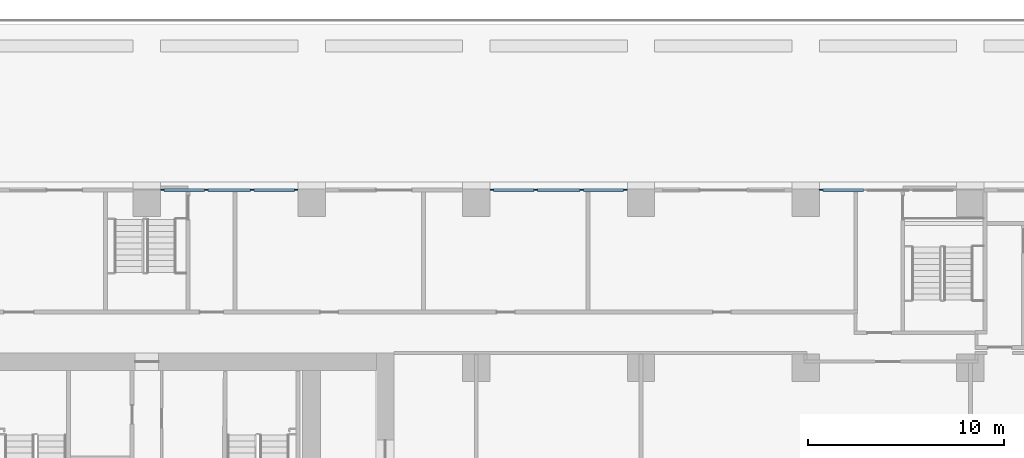
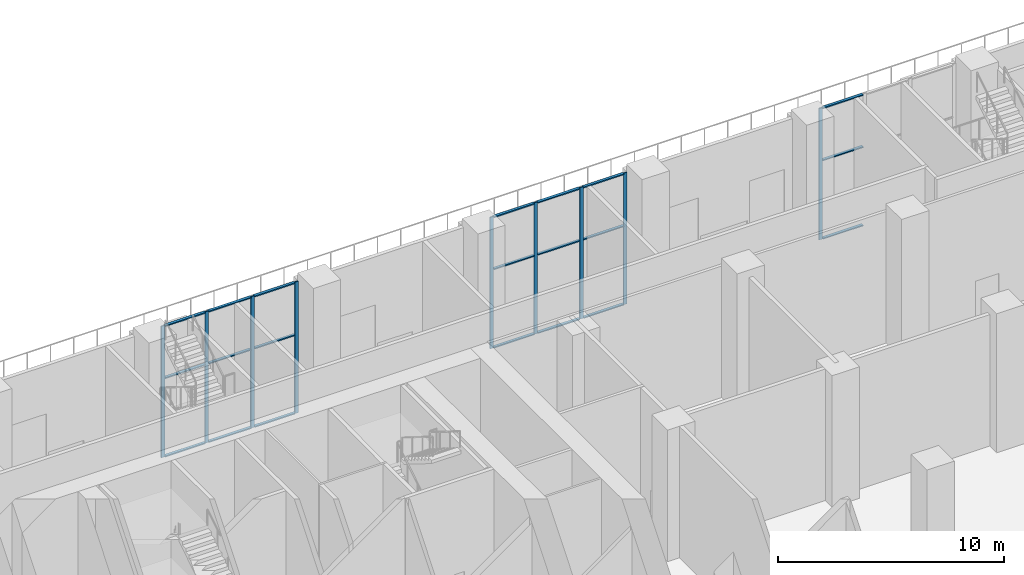
# One storey, part 12 of 53: 30 members, 3 elements without a shape of their own.
"""IFC4 building model written with IfcOpenShell, lengths in metres."""

from ifc_helpers import new_model, si_unit, direction, frame, origin, origin_2d, place, context, subcontext, project, spatial, rectangle, extrude, material, material_profile, profile_set, type_object, element, aggregate, save


model = new_model("IFC4")

# Units and contexts
model_context = context("Model", 3, precision=1e-05, world=origin(), true_north=direction((0.0, 1.0)))
body_context = subcontext(model_context, "Body", "Model", "MODEL_VIEW")
ifc_project = project(units=[si_unit("LENGTHUNIT", "METRE"), si_unit("AREAUNIT", "SQUARE_METRE"), si_unit("VOLUMEUNIT", "CUBIC_METRE"), si_unit("PLANEANGLEUNIT", "RADIAN"), si_unit("MASSUNIT", "GRAM", prefix="KILO")], contexts=[model_context])

# Site, building, storey
site_placement = place(None, origin())
site = spatial("IfcSite", under=ifc_project, at=site_placement, CompositionType="ELEMENT")
building_placement = place(site_placement, origin())
building = spatial("IfcBuilding", under=site, at=building_placement, Name="Vermilion Ogive Tower", CompositionType="ELEMENT")
storey_placement = place(building_placement, origin())
storey = spatial("IfcBuildingStorey", under=building, at=storey_placement, Name="L00", CompositionType="ELEMENT", Elevation=0.0)

# Curtain wall, member
ifc_material_1 = material(Name="Clear double glazing in aluminium frame", Category="aluminium")
curtain_wall_type = type_object("IfcCurtainWallType", Name="Curtain wall CW1", PredefinedType="NOTDEFINED", material=ifc_material_1)
curtain_wall_1_placement = place(storey_placement, origin())
curtain_wall_1 = element("IfcCurtainWall", 1, at=curtain_wall_1_placement, inside=storey, type_object=curtain_wall_type, Name="CW1 shopfront glazing N2", PredefinedType="NOTDEFINED")
ifc_material_2 = material(Name="Aluminium mullion", Category="aluminium")
ifc_material_profile_1 = material_profile(ifc_material_2, rectangle(XDim=0.06005859375, YDim=0.179931640625, at=origin_2d()), Name="AL 60x180")
ifc_profile_set_1 = profile_set([ifc_material_profile_1], Name="Aluminium mullion")
member_type_1 = type_object("IfcMemberType", Name="CW1 mullion 60x180", PredefinedType="MULLION", material=ifc_profile_set_1)
member_1_placement = place(storey_placement, frame((34.389892578125, 30.06005859375, 0.0), z_axis=(0.0, 0.0, 1.0), x_axis=(0.0, -1.0, 0.0)))
member_1 = element("IfcMember", 2, at=member_1_placement, type_object=member_type_1, Name="CW1-N2 mullion 4", PredefinedType="MULLION", context=body_context, shape_type="SweptSolid", body=[
    extrude(rectangle(XDim=0.06005859375, YDim=0.179931640625, at=origin_2d()), origin(), (0.0, 0.0, 1.0), 7.10009765625),
])

# Curtain wall, members
curtain_wall_2_placement = place(storey_placement, origin())
curtain_wall_2 = element("IfcCurtainWall", 3, at=curtain_wall_2_placement, inside=storey, type_object=curtain_wall_type, Name="CW1 shopfront glazing N4", PredefinedType="NOTDEFINED")
member_2_placement = place(storey_placement, frame((24.409912109375, 30.06005859375, 0.0), z_axis=(0.0, 0.0, 1.0), x_axis=(0.0, -1.0, 0.0)))
member_2 = element("IfcMember", 4, at=member_2_placement, type_object=member_type_1, Name="CW1-N4 mullion 1", PredefinedType="MULLION", context=body_context, shape_type="SweptSolid", body=[
    extrude(rectangle(XDim=0.06005859375, YDim=0.179931640625, at=origin_2d()), origin(), (0.0, 0.0, 1.0), 7.10009765625),
])
member_3_placement = place(storey_placement, frame((22.166748046875, 30.06005859375, 0.0), z_axis=(0.0, 0.0, 1.0), x_axis=(0.0, -1.0, 0.0)))
member_3 = element("IfcMember", 5, at=member_3_placement, type_object=member_type_1, Name="CW1-N4 mullion 2", PredefinedType="MULLION", context=body_context, shape_type="SweptSolid", body=[
    extrude(rectangle(XDim=0.06005859375, YDim=0.179931640625, at=origin_2d()), origin(), (0.0, 0.0, 1.0), 7.10009765625),
])
member_4_placement = place(storey_placement, frame((19.833251953125, 30.06005859375, 0.0), z_axis=(0.0, 0.0, 1.0), x_axis=(0.0, -1.0, 0.0)))
member_4 = element("IfcMember", 6, at=member_4_placement, type_object=member_type_1, Name="CW1-N4 mullion 3", PredefinedType="MULLION", context=body_context, shape_type="SweptSolid", body=[
    extrude(rectangle(XDim=0.06005859375, YDim=0.179931640625, at=origin_2d()), origin(), (0.0, 0.0, 1.0), 7.10009765625),
])
member_5_placement = place(storey_placement, frame((17.590087890625, 30.06005859375, 0.0), z_axis=(0.0, 0.0, 1.0), x_axis=(0.0, -1.0, 0.0)))
member_5 = element("IfcMember", 7, at=member_5_placement, type_object=member_type_1, Name="CW1-N4 mullion 4", PredefinedType="MULLION", context=body_context, shape_type="SweptSolid", body=[
    extrude(rectangle(XDim=0.06005859375, YDim=0.179931640625, at=origin_2d()), origin(), (0.0, 0.0, 1.0), 7.10009765625),
])

curtain_wall_3_placement = place(storey_placement, origin())
curtain_wall_3 = element("IfcCurtainWall", 8, at=curtain_wall_3_placement, inside=storey, type_object=curtain_wall_type, Name="CW1 shopfront glazing N6", PredefinedType="NOTDEFINED")
member_6_placement = place(storey_placement, frame((7.610107421875, 30.06005859375, 0.0), z_axis=(0.0, 0.0, 1.0), x_axis=(0.0, -1.0, 0.0)))
member_6 = element("IfcMember", 9, at=member_6_placement, type_object=member_type_1, Name="CW1-N6 mullion 1", PredefinedType="MULLION", context=body_context, shape_type="SweptSolid", body=[
    extrude(rectangle(XDim=0.06005859375, YDim=0.179931640625, at=origin_2d()), origin(), (0.0, 0.0, 1.0), 7.10009765625),
])
member_7_placement = place(storey_placement, frame((5.36669921875, 30.06005859375, 0.0), z_axis=(0.0, 0.0, 1.0), x_axis=(0.0, -1.0, 0.0)))
member_7 = element("IfcMember", 10, at=member_7_placement, type_object=member_type_1, Name="CW1-N6 mullion 2", PredefinedType="MULLION", context=body_context, shape_type="SweptSolid", body=[
    extrude(rectangle(XDim=0.06005859375, YDim=0.179931640625, at=origin_2d()), origin(), (0.0, 0.0, 1.0), 7.10009765625),
])
member_8_placement = place(storey_placement, frame((3.033447265625, 30.06005859375, 0.0), z_axis=(0.0, 0.0, 1.0), x_axis=(0.0, -1.0, 0.0)))
member_8 = element("IfcMember", 11, at=member_8_placement, type_object=member_type_1, Name="CW1-N6 mullion 3", PredefinedType="MULLION", context=body_context, shape_type="SweptSolid", body=[
    extrude(rectangle(XDim=0.06005859375, YDim=0.179931640625, at=origin_2d()), origin(), (0.0, 0.0, 1.0), 7.10009765625),
])
member_9_placement = place(storey_placement, frame((0.7900390625, 30.06005859375, 0.0), z_axis=(0.0, 0.0, 1.0), x_axis=(0.0, -1.0, 0.0)))
member_9 = element("IfcMember", 12, at=member_9_placement, type_object=member_type_1, Name="CW1-N6 mullion 4", PredefinedType="MULLION", context=body_context, shape_type="SweptSolid", body=[
    extrude(rectangle(XDim=0.06005859375, YDim=0.179931640625, at=origin_2d()), origin(), (0.0, 0.0, 1.0), 7.10009765625),
])

# Member
ifc_material_3 = material(Name="Aluminium transom", Category="aluminium")
ifc_material_profile_2 = material_profile(ifc_material_3, rectangle(XDim=0.139892578125, YDim=0.06005859375, at=origin_2d()), Name="AL 60x140")
ifc_profile_set_2 = profile_set([ifc_material_profile_2], Name="Aluminium transom")
member_type_2 = type_object("IfcMemberType", Name="CW1 transom 60x140", PredefinedType="USERDEFINED", material=ifc_profile_set_2)
member_10_placement = place(storey_placement, frame((36.543212890625, 30.06005859375, 0.030029296875), z_axis=(-1.0, 0.0, 0.0), x_axis=(0.0, -1.0, 0.0)))
member_10 = element("IfcMember", 13, at=member_10_placement, type_object=member_type_2, Name="CW1-N2 transom 3.1", ObjectType="TRANSOM", PredefinedType="USERDEFINED", context=body_context, shape_type="SweptSolid", body=[
    extrude(rectangle(XDim=0.139892578125, YDim=0.06005859375, at=origin_2d()), origin(), (0.0, 0.0, 1.0), 2.063232421875),
])

member_11_placement = place(storey_placement, frame((36.543212890625, 30.06005859375, 4.260009765625), z_axis=(-1.0, 0.0, 0.0), x_axis=(0.0, -1.0, 0.0)))
member_11 = element("IfcMember", 14, at=member_11_placement, type_object=member_type_2, Name="CW1-N2 transom 3.2", ObjectType="TRANSOM", PredefinedType="USERDEFINED", context=body_context, shape_type="SweptSolid", body=[
    extrude(rectangle(XDim=0.139892578125, YDim=0.06005859375, at=origin_2d()), origin(), (0.0, 0.0, 1.0), 2.063232421875),
])

member_12_placement = place(storey_placement, frame((36.543212890625, 30.06005859375, 7.070068359375), z_axis=(-1.0, 0.0, 0.0), x_axis=(0.0, -1.0, 0.0)))
member_12 = element("IfcMember", 15, at=member_12_placement, type_object=member_type_2, Name="CW1-N2 transom 3.3", ObjectType="TRANSOM", PredefinedType="USERDEFINED", context=body_context, shape_type="SweptSolid", body=[
    extrude(rectangle(XDim=0.139892578125, YDim=0.06005859375, at=origin_2d()), origin(), (0.0, 0.0, 1.0), 2.063232421875),
])

aggregate(curtain_wall_1, [member_1, member_10, member_11, member_12])

member_13_placement = place(storey_placement, frame((24.320068359375, 30.06005859375, 0.030029296875), z_axis=(-1.0, 0.0, 0.0), x_axis=(0.0, -1.0, 0.0)))
member_13 = element("IfcMember", 16, at=member_13_placement, type_object=member_type_2, Name="CW1-N4 transom 1.1", ObjectType="TRANSOM", PredefinedType="USERDEFINED", context=body_context, shape_type="SweptSolid", body=[
    extrude(rectangle(XDim=0.139892578125, YDim=0.06005859375, at=origin_2d()), origin(), (0.0, 0.0, 1.0), 2.0634765625),
])

member_14_placement = place(storey_placement, frame((24.320068359375, 30.06005859375, 4.260009765625), z_axis=(-1.0, 0.0, 0.0), x_axis=(0.0, -1.0, 0.0)))
member_14 = element("IfcMember", 17, at=member_14_placement, type_object=member_type_2, Name="CW1-N4 transom 1.2", ObjectType="TRANSOM", PredefinedType="USERDEFINED", context=body_context, shape_type="SweptSolid", body=[
    extrude(rectangle(XDim=0.139892578125, YDim=0.06005859375, at=origin_2d()), origin(), (0.0, 0.0, 1.0), 2.0634765625),
])

member_15_placement = place(storey_placement, frame((24.320068359375, 30.06005859375, 7.070068359375), z_axis=(-1.0, 0.0, 0.0), x_axis=(0.0, -1.0, 0.0)))
member_15 = element("IfcMember", 18, at=member_15_placement, type_object=member_type_2, Name="CW1-N4 transom 1.3", ObjectType="TRANSOM", PredefinedType="USERDEFINED", context=body_context, shape_type="SweptSolid", body=[
    extrude(rectangle(XDim=0.139892578125, YDim=0.06005859375, at=origin_2d()), origin(), (0.0, 0.0, 1.0), 2.0634765625),
])

member_16_placement = place(storey_placement, frame((22.07666015625, 30.06005859375, 0.030029296875), z_axis=(-1.0, 0.0, 0.0), x_axis=(0.0, -1.0, 0.0)))
member_16 = element("IfcMember", 19, at=member_16_placement, type_object=member_type_2, Name="CW1-N4 transom 2.1", ObjectType="TRANSOM", PredefinedType="USERDEFINED", context=body_context, shape_type="SweptSolid", body=[
    extrude(rectangle(XDim=0.139892578125, YDim=0.06005859375, at=origin_2d()), origin(), (0.0, 0.0, 1.0), 2.1533203125),
])

member_17_placement = place(storey_placement, frame((22.07666015625, 30.06005859375, 4.260009765625), z_axis=(-1.0, 0.0, 0.0), x_axis=(0.0, -1.0, 0.0)))
member_17 = element("IfcMember", 20, at=member_17_placement, type_object=member_type_2, Name="CW1-N4 transom 2.2", ObjectType="TRANSOM", PredefinedType="USERDEFINED", context=body_context, shape_type="SweptSolid", body=[
    extrude(rectangle(XDim=0.139892578125, YDim=0.06005859375, at=origin_2d()), origin(), (0.0, 0.0, 1.0), 2.1533203125),
])

member_18_placement = place(storey_placement, frame((22.07666015625, 30.06005859375, 7.070068359375), z_axis=(-1.0, 0.0, 0.0), x_axis=(0.0, -1.0, 0.0)))
member_18 = element("IfcMember", 21, at=member_18_placement, type_object=member_type_2, Name="CW1-N4 transom 2.3", ObjectType="TRANSOM", PredefinedType="USERDEFINED", context=body_context, shape_type="SweptSolid", body=[
    extrude(rectangle(XDim=0.139892578125, YDim=0.06005859375, at=origin_2d()), origin(), (0.0, 0.0, 1.0), 2.1533203125),
])

member_19_placement = place(storey_placement, frame((19.743408203125, 30.06005859375, 0.030029296875), z_axis=(-1.0, 0.0, 0.0), x_axis=(0.0, -1.0, 0.0)))
member_19 = element("IfcMember", 22, at=member_19_placement, type_object=member_type_2, Name="CW1-N4 transom 3.1", ObjectType="TRANSOM", PredefinedType="USERDEFINED", context=body_context, shape_type="SweptSolid", body=[
    extrude(rectangle(XDim=0.139892578125, YDim=0.06005859375, at=origin_2d()), origin(), (0.0, 0.0, 1.0), 2.0634765625),
])

member_20_placement = place(storey_placement, frame((19.743408203125, 30.06005859375, 4.260009765625), z_axis=(-1.0, 0.0, 0.0), x_axis=(0.0, -1.0, 0.0)))
member_20 = element("IfcMember", 23, at=member_20_placement, type_object=member_type_2, Name="CW1-N4 transom 3.2", ObjectType="TRANSOM", PredefinedType="USERDEFINED", context=body_context, shape_type="SweptSolid", body=[
    extrude(rectangle(XDim=0.139892578125, YDim=0.06005859375, at=origin_2d()), origin(), (0.0, 0.0, 1.0), 2.0634765625),
])

member_21_placement = place(storey_placement, frame((19.743408203125, 30.06005859375, 7.070068359375), z_axis=(-1.0, 0.0, 0.0), x_axis=(0.0, -1.0, 0.0)))
member_21 = element("IfcMember", 24, at=member_21_placement, type_object=member_type_2, Name="CW1-N4 transom 3.3", ObjectType="TRANSOM", PredefinedType="USERDEFINED", context=body_context, shape_type="SweptSolid", body=[
    extrude(rectangle(XDim=0.139892578125, YDim=0.06005859375, at=origin_2d()), origin(), (0.0, 0.0, 1.0), 2.0634765625),
])

aggregate(curtain_wall_2, [member_2, member_3, member_4, member_5, member_13, member_14, member_15, member_16, member_17, member_18, member_19, member_20, member_21])

member_22_placement = place(storey_placement, frame((7.52001953125, 30.06005859375, 0.030029296875), z_axis=(-1.0, 0.0, 0.0), x_axis=(0.0, -1.0, 0.0)))
member_22 = element("IfcMember", 25, at=member_22_placement, type_object=member_type_2, Name="CW1-N6 transom 1.1", ObjectType="TRANSOM", PredefinedType="USERDEFINED", context=body_context, shape_type="SweptSolid", body=[
    extrude(rectangle(XDim=0.139892578125, YDim=0.06005859375, at=origin_2d()), origin(), (0.0, 0.0, 1.0), 2.063232421875),
])

member_23_placement = place(storey_placement, frame((7.52001953125, 30.06005859375, 4.260009765625), z_axis=(-1.0, 0.0, 0.0), x_axis=(0.0, -1.0, 0.0)))
member_23 = element("IfcMember", 26, at=member_23_placement, type_object=member_type_2, Name="CW1-N6 transom 1.2", ObjectType="TRANSOM", PredefinedType="USERDEFINED", context=body_context, shape_type="SweptSolid", body=[
    extrude(rectangle(XDim=0.139892578125, YDim=0.06005859375, at=origin_2d()), origin(), (0.0, 0.0, 1.0), 2.063232421875),
])

member_24_placement = place(storey_placement, frame((7.52001953125, 30.06005859375, 7.070068359375), z_axis=(-1.0, 0.0, 0.0), x_axis=(0.0, -1.0, 0.0)))
member_24 = element("IfcMember", 27, at=member_24_placement, type_object=member_type_2, Name="CW1-N6 transom 1.3", ObjectType="TRANSOM", PredefinedType="USERDEFINED", context=body_context, shape_type="SweptSolid", body=[
    extrude(rectangle(XDim=0.139892578125, YDim=0.06005859375, at=origin_2d()), origin(), (0.0, 0.0, 1.0), 2.063232421875),
])

member_25_placement = place(storey_placement, frame((5.276611328125, 30.06005859375, 0.030029296875), z_axis=(-1.0, 0.0, 0.0), x_axis=(0.0, -1.0, 0.0)))
member_25 = element("IfcMember", 28, at=member_25_placement, type_object=member_type_2, Name="CW1-N6 transom 2.1", ObjectType="TRANSOM", PredefinedType="USERDEFINED", context=body_context, shape_type="SweptSolid", body=[
    extrude(rectangle(XDim=0.139892578125, YDim=0.06005859375, at=origin_2d()), origin(), (0.0, 0.0, 1.0), 2.1533203125),
])

member_26_placement = place(storey_placement, frame((5.276611328125, 30.06005859375, 4.260009765625), z_axis=(-1.0, 0.0, 0.0), x_axis=(0.0, -1.0, 0.0)))
member_26 = element("IfcMember", 29, at=member_26_placement, type_object=member_type_2, Name="CW1-N6 transom 2.2", ObjectType="TRANSOM", PredefinedType="USERDEFINED", context=body_context, shape_type="SweptSolid", body=[
    extrude(rectangle(XDim=0.139892578125, YDim=0.06005859375, at=origin_2d()), origin(), (0.0, 0.0, 1.0), 2.1533203125),
])

member_27_placement = place(storey_placement, frame((5.276611328125, 30.06005859375, 7.070068359375), z_axis=(-1.0, 0.0, 0.0), x_axis=(0.0, -1.0, 0.0)))
member_27 = element("IfcMember", 30, at=member_27_placement, type_object=member_type_2, Name="CW1-N6 transom 2.3", ObjectType="TRANSOM", PredefinedType="USERDEFINED", context=body_context, shape_type="SweptSolid", body=[
    extrude(rectangle(XDim=0.139892578125, YDim=0.06005859375, at=origin_2d()), origin(), (0.0, 0.0, 1.0), 2.1533203125),
])

member_28_placement = place(storey_placement, frame((2.943359375, 30.06005859375, 0.030029296875), z_axis=(-1.0, 0.0, 0.0), x_axis=(0.0, -1.0, 0.0)))
member_28 = element("IfcMember", 31, at=member_28_placement, type_object=member_type_2, Name="CW1-N6 transom 3.1", ObjectType="TRANSOM", PredefinedType="USERDEFINED", context=body_context, shape_type="SweptSolid", body=[
    extrude(rectangle(XDim=0.139892578125, YDim=0.06005859375, at=origin_2d()), origin(), (0.0, 0.0, 1.0), 2.0634765625),
])

member_29_placement = place(storey_placement, frame((2.943359375, 30.06005859375, 4.260009765625), z_axis=(-1.0, 0.0, 0.0), x_axis=(0.0, -1.0, 0.0)))
member_29 = element("IfcMember", 32, at=member_29_placement, type_object=member_type_2, Name="CW1-N6 transom 3.2", ObjectType="TRANSOM", PredefinedType="USERDEFINED", context=body_context, shape_type="SweptSolid", body=[
    extrude(rectangle(XDim=0.139892578125, YDim=0.06005859375, at=origin_2d()), origin(), (0.0, 0.0, 1.0), 2.0634765625),
])

member_30_placement = place(storey_placement, frame((2.943359375, 30.06005859375, 7.070068359375), z_axis=(-1.0, 0.0, 0.0), x_axis=(0.0, -1.0, 0.0)))
member_30 = element("IfcMember", 33, at=member_30_placement, type_object=member_type_2, Name="CW1-N6 transom 3.3", ObjectType="TRANSOM", PredefinedType="USERDEFINED", context=body_context, shape_type="SweptSolid", body=[
    extrude(rectangle(XDim=0.139892578125, YDim=0.06005859375, at=origin_2d()), origin(), (0.0, 0.0, 1.0), 2.0634765625),
])

aggregate(curtain_wall_3, [member_6, member_7, member_8, member_9, member_22, member_23, member_24, member_25, member_26, member_27, member_28, member_29, member_30])

save(model, "model.ifc")
